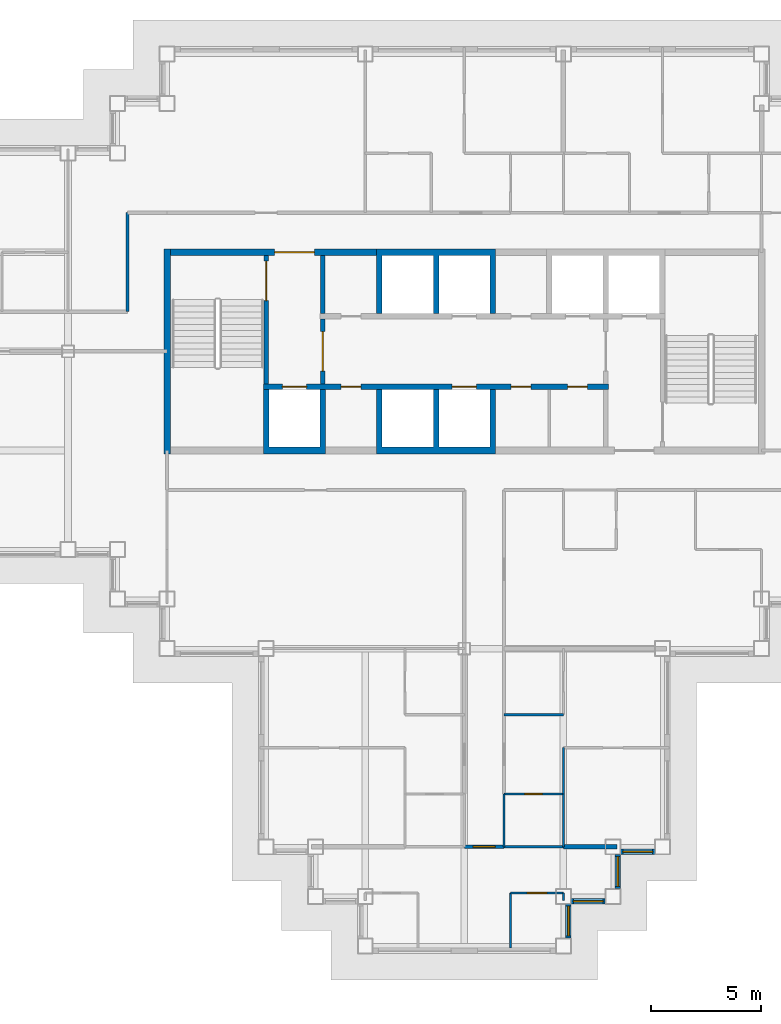
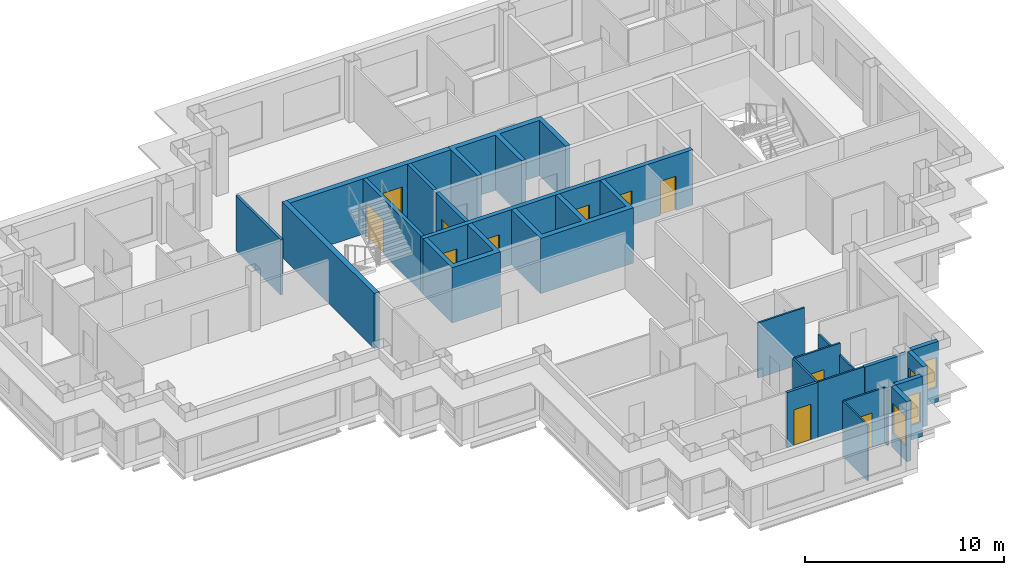
# One storey, part 4 of 12: 25 walls, 11 doors, 4 windows, 15 openings.
"""IFC4 building model written with IfcOpenShell, lengths in metres."""

from ifc_helpers import new_model, si_unit, direction, frame, frame_2d, origin, place, context, subcontext, project, spatial, polyline, rectangle, outline, extrude, material, layer, layer_set, type_object, element, fill, save


model = new_model("IFC4")

# Units and contexts
model_context = context("Model", 3, precision=1e-05, world=origin(), true_north=direction((0.0, 1.0)))
body_context = subcontext(model_context, "Body", "Model", "MODEL_VIEW")
ifc_project = project(units=[si_unit("LENGTHUNIT", "METRE"), si_unit("AREAUNIT", "SQUARE_METRE"), si_unit("VOLUMEUNIT", "CUBIC_METRE"), si_unit("PLANEANGLEUNIT", "RADIAN"), si_unit("MASSUNIT", "GRAM", prefix="KILO")], contexts=[model_context])

# Site, building, storey
site_placement = place(None, origin())
site = spatial("IfcSite", under=ifc_project, at=site_placement, CompositionType="ELEMENT")
building_placement = place(site_placement, origin())
building = spatial("IfcBuilding", under=site, at=building_placement, Name="Caravel Reach Hotel and Residences", CompositionType="ELEMENT")
storey_placement = place(building_placement, frame((0.0, 0.0, 199.800048828125)))
storey = spatial("IfcBuildingStorey", under=building, at=storey_placement, Name="L50", CompositionType="ELEMENT", Elevation=199.800048828125)

# Wall
ifc_material_1 = material(Name="Gypsum board on steel stud", Category="steel")
ifc_layer_1 = layer(ifc_material_1, 0.10009765625)
ifc_layer_set_1 = layer_set([ifc_layer_1], Name="Bathroom pod wall 100 mm")
wall_type_1 = type_object("IfcWallType", Name="Bathroom pod wall 100 mm", PredefinedType="PARTITIONING", material=ifc_layer_set_1)
wall_1_placement = place(storey_placement, frame((33.300048828125, 4.5, 0.0), z_axis=(0.0, 0.0, 1.0), x_axis=(1.0, 0.0, 0.0)))
element("IfcWall", 1, at=wall_1_placement, inside=storey, type_object=wall_type_1, Name="L50 wall w088", PredefinedType="PARTITIONING", context=body_context, shape_type="SweptSolid", body=[
    extrude(rectangle(XDim=2.699951171875, YDim=0.10009765625, at=frame_2d((1.35009765625, 0.0))), origin(), (0.0, 0.0, 1.0), 3.39990234375),
])

# Wall, opening, door
wall_2_placement = place(storey_placement, frame((33.300048828125, 6.89990234375, 0.0), z_axis=(0.0, 0.0, 1.0), x_axis=(1.0, 0.0, 0.0)))
wall_2 = element("IfcWall", 2, at=wall_2_placement, inside=storey, type_object=wall_type_1, Name="L50 wall w090", PredefinedType="PARTITIONING", context=body_context, shape_type="SweptSolid", body=[
    extrude(rectangle(XDim=2.699951171875, YDim=0.10009765625, at=frame_2d((1.35009765625, 0.0))), origin(), (0.0, 0.0, 1.0), 3.39990234375),
])
opening_1_placement = place(wall_2_placement, frame((0.949951171875, 0.0, 0.0)))
opening_1 = element("IfcOpeningElement", 3, at=opening_1_placement, cuts=wall_2, Name="Opening D50-040", PredefinedType="OPENING", context=body_context, shape_type="SweptSolid", body=[
    extrude(rectangle(XDim=0.800048828125, YDim=2.10009765625, at=frame_2d((0.39990234375, 1.050048828125))), frame((0.0, 0.06005859375, 0.0), z_axis=(0.0, -1.0, 0.0), x_axis=(1.0, 0.0, 0.0)), (0.0, 0.0, 1.0), 0.1201171875),
])
ifc_material_2 = material(Name="Timber and steel door leaf", Category="steel")
door_type_1 = type_object("IfcDoorType", Name="Bathroom door 800 x 2100", OperationType="SINGLE_SWING_LEFT", PredefinedType="DOOR", material=ifc_material_2)
door_1_placement = place(opening_1_placement, origin())
door_1 = element("IfcDoor", 4, at=door_1_placement, inside=storey, type_object=door_type_1, Name="door D50-040", OperationType="SINGLE_SWING_RIGHT", OverallHeight=2.10009765625, OverallWidth=0.800048828125, PredefinedType="DOOR", context=body_context, shape_type="SweptSolid", body=[
    extrude(rectangle(XDim=0.800048828125, YDim=2.10009765625, at=frame_2d((0.39990234375, 1.050048828125))), frame((0.0, 0.02490234375, 0.0), z_axis=(0.0, -1.0, 0.0), x_axis=(1.0, 0.0, 0.0)), (0.0, 0.0, 1.0), 0.050048828125),
])
fill(opening_1, door_1)

# Walls
wall_3_placement = place(storey_placement, frame((33.300048828125, 4.5, 0.0), z_axis=(0.0, 0.0, 1.0), x_axis=(0.0, 1.0, 0.0)))
element("IfcWall", 5, at=wall_3_placement, inside=storey, type_object=wall_type_1, Name="L50 wall w097", PredefinedType="PARTITIONING", context=body_context, shape_type="SweptSolid", body=[
    extrude(rectangle(XDim=2.39990234375, YDim=0.10009765625, at=frame_2d((1.199951171875, 0.0))), origin(), (0.0, 0.0, 1.0), 3.39990234375),
])
wall_4_placement = place(storey_placement, frame((36.0, 4.5, 0.0), z_axis=(0.0, 0.0, 1.0), x_axis=(0.0, 1.0, 0.0)))
element("IfcWall", 6, at=wall_4_placement, inside=storey, type_object=wall_type_1, Name="L50 wall w100", PredefinedType="PARTITIONING", context=body_context, shape_type="SweptSolid", body=[
    extrude(rectangle(XDim=2.39990234375, YDim=0.10009765625, at=frame_2d((1.199951171875, 0.0))), origin(), (0.0, 0.0, 1.0), 2.679931640625),
])
ifc_material_3 = material(Name="Autoclaved aerated block wall")
ifc_layer_2 = layer(ifc_material_3, 0.199951171875)
ifc_layer_set_2 = layer_set([ifc_layer_2], Name="Compartment wall 200 mm EI 120")
wall_type_2 = type_object("IfcWallType", Name="Compartment wall 200 mm EI 120", PredefinedType="PARTITIONING", material=ifc_layer_set_2)
wall_5_placement = place(storey_placement, frame((25.071533203125, 28.72509765625, 0.0), z_axis=(0.0, 0.0, 1.0), x_axis=(0.0, 1.0, 0.0)))
element("IfcWall", 7, at=wall_5_placement, inside=storey, type_object=wall_type_2, Name="L50 store partition", PredefinedType="PARTITIONING", context=body_context, shape_type="SweptSolid", body=[
    extrude(rectangle(XDim=2.625, YDim=0.199951171875, at=frame_2d((1.3125, 0.0))), origin(), (0.0, 0.0, 1.0), 3.39990234375),
])

# Wall, opening, door
ifc_material_4 = material(Name="Concrete C60", Category="concrete")
ifc_layer_3 = layer(ifc_material_4, 0.300048828125)
ifc_layer_set_3 = layer_set([ifc_layer_3], Name="Core wall 300 mm EI 120")
wall_type_3 = type_object("IfcWallType", Name="Core wall 300 mm EI 120", PredefinedType="SHEAR", material=ifc_layer_set_3)
wall_6_placement = place(storey_placement, frame((18.14990234375, 31.5, 0.0), z_axis=(0.0, 0.0, 1.0), x_axis=(1.0, 0.0, 0.0)))
wall_6 = element("IfcWall", 8, at=wall_6_placement, inside=storey, type_object=wall_type_3, Name="L50 core wall N1", PredefinedType="SHEAR", context=body_context, shape_type="SweptSolid", body=[
    extrude(rectangle(XDim=9.367919921875, YDim=0.300048828125, at=frame_2d((4.68408203125, 0.0))), origin(), (0.0, 0.0, 1.0), 3.39990234375),
])
opening_2_placement = place(wall_6_placement, frame((4.735595703125, 0.0, 0.0)))
opening_2 = element("IfcOpeningElement", 9, at=opening_2_placement, cuts=wall_6, Name="Opening D50-015", PredefinedType="OPENING", context=body_context, shape_type="SweptSolid", body=[
    extrude(rectangle(XDim=1.800048828125, YDim=2.10009765625, at=frame_2d((0.89990234375, 1.050048828125))), frame((0.0, 0.159912109375, 0.0), z_axis=(0.0, -1.0, 0.0), x_axis=(1.0, 0.0, 0.0)), (0.0, 0.0, 1.0), 0.320068359375),
])
ifc_material_5 = material(Name="Steel fire door leaf", Category="steel")
door_type_2 = type_object("IfcDoorType", Name="Fire lobby door pair 1800 x 2100 EI 90", OperationType="DOUBLE_DOOR_SINGLE_SWING", PredefinedType="DOOR", material=ifc_material_5)
door_2_placement = place(opening_2_placement, origin())
door_2 = element("IfcDoor", 10, at=door_2_placement, inside=storey, type_object=door_type_2, Name="lobby N door pair to corridor", OperationType="DOUBLE_DOOR_SINGLE_SWING", OverallHeight=2.10009765625, OverallWidth=1.800048828125, PredefinedType="DOOR", context=body_context, shape_type="SweptSolid", body=[
    extrude(rectangle(XDim=1.800048828125, YDim=2.10009765625, at=frame_2d((0.89990234375, 1.050048828125))), frame((0.0, 0.02490234375, 0.0), z_axis=(0.0, -1.0, 0.0), x_axis=(1.0, 0.0, 0.0)), (0.0, 0.0, 1.0), 0.050048828125),
])
fill(opening_2, door_2)

# Wall
wall_7_placement = place(storey_placement, frame((18.0, 22.35009765625, 0.0), z_axis=(0.0, 0.0, 1.0), x_axis=(0.0, 1.0, 0.0)))
element("IfcWall", 11, at=wall_7_placement, inside=storey, type_object=wall_type_3, Name="L50 core wall W", PredefinedType="SHEAR", context=body_context, shape_type="SweptSolid", body=[
    extrude(rectangle(XDim=9.2998046875, YDim=0.300048828125, at=frame_2d((4.64990234375, 0.0))), origin(), (0.0, 0.0, 1.0), 3.39990234375),
])

# Wall, opening, door
ifc_material_6 = material(Name="Gypsum board on steel stud, fire-rated", Category="steel")
ifc_layer_4 = layer(ifc_material_6, 0.14990234375)
ifc_layer_set_4 = layer_set([ifc_layer_4], Name="Corridor wall 150 mm EI 60")
wall_type_4 = type_object("IfcWallType", Name="Corridor wall 150 mm EI 60", PredefinedType="PARTITIONING", material=ifc_layer_set_4)
wall_8_placement = place(storey_placement, frame((31.5, 4.5, 0.0), z_axis=(0.0, 0.0, 1.0), x_axis=(1.0, 0.0, 0.0)))
wall_8 = element("IfcWall", 12, at=wall_8_placement, inside=storey, type_object=wall_type_4, Name="L50 wall w017", PredefinedType="PARTITIONING", context=body_context, shape_type="SweptSolid", body=[
    extrude(rectangle(XDim=1.800048828125, YDim=0.14990234375, at=frame_2d((0.89990234375, 0.0))), origin(), (0.0, 0.0, 1.0), 3.39990234375),
])
opening_3_placement = place(wall_8_placement, frame((0.39990234375, 0.0, 0.0)))
opening_3 = element("IfcOpeningElement", 13, at=opening_3_placement, cuts=wall_8, Name="Opening D50-049", PredefinedType="OPENING", context=body_context, shape_type="SweptSolid", body=[
    extrude(rectangle(XDim=1.0, YDim=2.199951171875, at=frame_2d((0.5, 1.10009765625))), frame((0.0, 0.0849609375, 0.0), z_axis=(0.0, -1.0, 0.0), x_axis=(1.0, 0.0, 0.0)), (0.0, 0.0, 1.0), 0.169921875),
])
ifc_material_7 = material(Name="Steel fire door leaf", Category="steel")
door_type_3 = type_object("IfcDoorType", Name="Flat entrance door 1000 x 2200 EI 60", OperationType="SINGLE_SWING_LEFT", PredefinedType="DOOR", material=ifc_material_7)
door_3_placement = place(opening_3_placement, origin())
door_3 = element("IfcDoor", 14, at=door_3_placement, inside=storey, type_object=door_type_3, Name="door D50-049", OperationType="SINGLE_SWING_RIGHT", OverallHeight=2.199951171875, OverallWidth=1.0, PredefinedType="DOOR", context=body_context, shape_type="SweptSolid", body=[
    extrude(rectangle(XDim=1.0, YDim=2.199951171875, at=frame_2d((0.5, 1.10009765625))), frame((0.0, 0.02490234375, 0.0), z_axis=(0.0, -1.0, 0.0), x_axis=(1.0, 0.0, 0.0)), (0.0, 0.0, 1.0), 0.050048828125),
])
fill(opening_3, door_3)

# Wall
wall_9_placement = place(storey_placement, frame((16.199951171875, 28.801025390625, 0.0), z_axis=(0.0, 0.0, 1.0), x_axis=(0.0, 1.0, 0.0)))
element("IfcWall", 15, at=wall_9_placement, inside=storey, type_object=wall_type_4, Name="L50 wall w018", PredefinedType="PARTITIONING", context=body_context, shape_type="SweptSolid", body=[
    extrude(rectangle(XDim=4.4990234375, YDim=0.14990234375, at=frame_2d((2.24951171875, 0.0))), origin(), (0.0, 0.0, 1.0), 3.39990234375),
])

# Wall, opening, window
ifc_material_8 = material(Name="Insulated rainscreen wall, aluminium cladding", Category="aluminium")
ifc_layer_5 = layer(ifc_material_8, 0.25)
ifc_layer_set_5 = layer_set([ifc_layer_5], Name="EW1 Tower rainscreen wall")
wall_type_5 = type_object("IfcWallType", Name="EW1 Tower rainscreen wall", PredefinedType="SOLIDWALL", material=ifc_layer_set_5)
wall_10_placement = place(storey_placement, frame((36.22509765625, 0.35009765625, 0.0), z_axis=(0.0, 0.0, 1.0), x_axis=(0.0, 1.0, 0.0)))
wall_10 = element("IfcWall", 16, at=wall_10_placement, inside=storey, type_object=wall_type_5, Name="External wall L50 E36.1", PredefinedType="SOLIDWALL", context=body_context, shape_type="SweptSolid", body=[
    extrude(rectangle(XDim=1.5498046875, YDim=0.25, at=frame_2d((0.77490234375, 0.0))), origin(), (0.0, 0.0, 1.0), 3.699951171875),
])
opening_4_placement = place(wall_10_placement, frame((0.10009765625, 0.0, 0.89990234375)))
opening_4 = element("IfcOpeningElement", 17, at=opening_4_placement, cuts=wall_10, Name="Opening WN21", PredefinedType="OPENING", context=body_context, shape_type="SweptSolid", body=[
    extrude(rectangle(XDim=1.35009765625, YDim=1.85009765625, at=frame_2d((0.675048828125, 0.925048828125))), frame((0.0, 0.135009765625, 0.0), z_axis=(0.0, -1.0, 0.0), x_axis=(1.0, 0.0, 0.0)), (0.0, 0.0, 1.0), 0.27001953125),
])
ifc_material_9 = material(Name="Dark low-e glazing in black aluminium frame", Category="aluminium")
window_type = type_object("IfcWindowType", Name="Residence bedroom window 1350 x 1850", PartitioningType="SINGLE_PANEL", PredefinedType="WINDOW", material=ifc_material_9)
window_1_placement = place(opening_4_placement, origin())
window_1 = element("IfcWindow", 18, at=window_1_placement, inside=storey, type_object=window_type, Name="Window L50 E36.1.1", OverallHeight=1.85009765625, OverallWidth=1.35009765625, PartitioningType="SINGLE_PANEL", PredefinedType="WINDOW", context=body_context, shape_type="SweptSolid", body=[
    extrude(rectangle(XDim=1.35009765625, YDim=1.85009765625, at=frame_2d((0.675048828125, 0.925048828125))), frame((0.0, 0.030029296875, 0.0), z_axis=(0.0, -1.0, 0.0), x_axis=(1.0, 0.0, 0.0)), (0.0, 0.0, 1.0), 0.06005859375),
])
fill(opening_4, window_1)

wall_11_placement = place(storey_placement, frame((36.35009765625, 2.02490234375, 0.0), z_axis=(0.0, 0.0, 1.0), x_axis=(1.0, 0.0, 0.0)))
wall_11 = element("IfcWall", 19, at=wall_11_placement, inside=storey, type_object=wall_type_5, Name="External wall L50 S37.1", PredefinedType="SOLIDWALL", context=body_context, shape_type="SweptSolid", body=[
    extrude(rectangle(XDim=1.5498046875, YDim=0.25, at=frame_2d((0.77490234375, 0.0))), origin(), (0.0, 0.0, 1.0), 3.699951171875),
])
opening_5_placement = place(wall_11_placement, frame((0.10009765625, 0.0, 0.89990234375)))
opening_5 = element("IfcOpeningElement", 20, at=opening_5_placement, cuts=wall_11, Name="Opening WN21", PredefinedType="OPENING", context=body_context, shape_type="SweptSolid", body=[
    extrude(rectangle(XDim=1.35009765625, YDim=1.85009765625, at=frame_2d((0.675048828125, 0.925048828125))), frame((0.0, 0.135009765625, 0.0), z_axis=(0.0, -1.0, 0.0), x_axis=(1.0, 0.0, 0.0)), (0.0, 0.0, 1.0), 0.27001953125),
])
window_2_placement = place(opening_5_placement, origin())
window_2 = element("IfcWindow", 21, at=window_2_placement, inside=storey, type_object=window_type, Name="Window L50 S37.1.1", OverallHeight=1.85009765625, OverallWidth=1.35009765625, PartitioningType="SINGLE_PANEL", PredefinedType="WINDOW", context=body_context, shape_type="SweptSolid", body=[
    extrude(rectangle(XDim=1.35009765625, YDim=1.85009765625, at=frame_2d((0.675048828125, 0.925048828125))), frame((0.0, 0.030029296875, 0.0), z_axis=(0.0, -1.0, 0.0), x_axis=(1.0, 0.0, 0.0)), (0.0, 0.0, 1.0), 0.06005859375),
])
fill(opening_5, window_2)

wall_12_placement = place(storey_placement, frame((38.47509765625, 2.60009765625, 0.0), z_axis=(0.0, 0.0, 1.0), x_axis=(0.0, 1.0, 0.0)))
wall_12 = element("IfcWall", 22, at=wall_12_placement, inside=storey, type_object=wall_type_5, Name="External wall L50 E38.1", PredefinedType="SOLIDWALL", context=body_context, shape_type="SweptSolid", body=[
    extrude(rectangle(XDim=1.5498046875, YDim=0.25, at=frame_2d((0.77490234375, 0.0))), origin(), (0.0, 0.0, 1.0), 3.699951171875),
])
opening_6_placement = place(wall_12_placement, frame((0.10009765625, 0.0, 0.89990234375)))
opening_6 = element("IfcOpeningElement", 23, at=opening_6_placement, cuts=wall_12, Name="Opening WN21", PredefinedType="OPENING", context=body_context, shape_type="SweptSolid", body=[
    extrude(rectangle(XDim=1.35009765625, YDim=1.85009765625, at=frame_2d((0.675048828125, 0.925048828125))), frame((0.0, 0.135009765625, 0.0), z_axis=(0.0, -1.0, 0.0), x_axis=(1.0, 0.0, 0.0)), (0.0, 0.0, 1.0), 0.27001953125),
])
window_3_placement = place(opening_6_placement, origin())
window_3 = element("IfcWindow", 24, at=window_3_placement, inside=storey, type_object=window_type, Name="Window L50 E38.1.1", OverallHeight=1.85009765625, OverallWidth=1.35009765625, PartitioningType="SINGLE_PANEL", PredefinedType="WINDOW", context=body_context, shape_type="SweptSolid", body=[
    extrude(rectangle(XDim=1.35009765625, YDim=1.85009765625, at=frame_2d((0.675048828125, 0.925048828125))), frame((0.0, 0.030029296875, 0.0), z_axis=(0.0, -1.0, 0.0), x_axis=(1.0, 0.0, 0.0)), (0.0, 0.0, 1.0), 0.06005859375),
])
fill(opening_6, window_3)

wall_13_placement = place(storey_placement, frame((38.60009765625, 4.27490234375, 0.0), z_axis=(0.0, 0.0, 1.0), x_axis=(1.0, 0.0, 0.0)))
wall_13 = element("IfcWall", 25, at=wall_13_placement, inside=storey, type_object=wall_type_5, Name="External wall L50 S39.1", PredefinedType="SOLIDWALL", context=body_context, shape_type="SweptSolid", body=[
    extrude(rectangle(XDim=1.5498046875, YDim=0.25, at=frame_2d((0.77490234375, 0.0))), origin(), (0.0, 0.0, 1.0), 3.699951171875),
])
opening_7_placement = place(wall_13_placement, frame((0.10009765625, 0.0, 0.89990234375)))
opening_7 = element("IfcOpeningElement", 26, at=opening_7_placement, cuts=wall_13, Name="Opening WN21", PredefinedType="OPENING", context=body_context, shape_type="SweptSolid", body=[
    extrude(rectangle(XDim=1.35009765625, YDim=1.85009765625, at=frame_2d((0.675048828125, 0.925048828125))), frame((0.0, 0.135009765625, 0.0), z_axis=(0.0, -1.0, 0.0), x_axis=(1.0, 0.0, 0.0)), (0.0, 0.0, 1.0), 0.27001953125),
])
window_4_placement = place(opening_7_placement, origin())
window_4 = element("IfcWindow", 27, at=window_4_placement, inside=storey, type_object=window_type, Name="Window L50 S39.1.1", OverallHeight=1.85009765625, OverallWidth=1.35009765625, PartitioningType="SINGLE_PANEL", PredefinedType="WINDOW", context=body_context, shape_type="SweptSolid", body=[
    extrude(rectangle(XDim=1.35009765625, YDim=1.85009765625, at=frame_2d((0.675048828125, 0.925048828125))), frame((0.0, 0.030029296875, 0.0), z_axis=(0.0, -1.0, 0.0), x_axis=(1.0, 0.0, 0.0)), (0.0, 0.0, 1.0), 0.06005859375),
])
fill(opening_7, window_4)

# Wall, opening, door
ifc_material_10 = material(Name="Autoclaved aerated block wall")
ifc_layer_6 = layer(ifc_material_10, 0.199951171875)
ifc_layer_set_6 = layer_set([ifc_layer_6], Name="Fire lobby wall 200 mm EI 120")
wall_type_6 = type_object("IfcWallType", Name="Fire lobby wall 200 mm EI 120", PredefinedType="PARTITIONING", material=ifc_layer_set_6)
wall_14_placement = place(storey_placement, frame((25.071533203125, 25.52490234375, 0.0), z_axis=(0.0, 0.0, 1.0), x_axis=(0.0, 1.0, 0.0)))
wall_14 = element("IfcWall", 28, at=wall_14_placement, inside=storey, type_object=wall_type_6, Name="L50 lobby W wall", PredefinedType="PARTITIONING", context=body_context, shape_type="SweptSolid", body=[
    extrude(rectangle(XDim=2.9501953125, YDim=0.199951171875, at=frame_2d((1.47509765625, 0.0))), origin(), (0.0, 0.0, 1.0), 3.39990234375),
])
opening_8_placement = place(wall_14_placement, frame((0.574951171875, 0.0, 0.0)))
opening_8 = element("IfcOpeningElement", 29, at=opening_8_placement, cuts=wall_14, Name="Opening D50-013", PredefinedType="OPENING", context=body_context, shape_type="SweptSolid", body=[
    extrude(rectangle(XDim=1.800048828125, YDim=2.10009765625, at=frame_2d((0.89990234375, 1.050048828125))), frame((0.0, 0.10986328125, 0.0), z_axis=(0.0, -1.0, 0.0), x_axis=(1.0, 0.0, 0.0)), (0.0, 0.0, 1.0), 0.219970703125),
])
door_4_placement = place(opening_8_placement, origin())
door_4 = element("IfcDoor", 30, at=door_4_placement, inside=storey, type_object=door_type_2, Name="lobby W door pair", OperationType="DOUBLE_DOOR_SINGLE_SWING", OverallHeight=2.10009765625, OverallWidth=1.800048828125, PredefinedType="DOOR", context=body_context, shape_type="SweptSolid", body=[
    extrude(rectangle(XDim=1.800048828125, YDim=2.10009765625, at=frame_2d((0.89990234375, 1.050048828125))), frame((0.0, 0.02490234375, 0.0), z_axis=(0.0, -1.0, 0.0), x_axis=(1.0, 0.0, 0.0)), (0.0, 0.0, 1.0), 0.050048828125),
])
fill(opening_8, door_4)

# Wall
ifc_material_11 = material(Name="Gypsum board on steel stud", Category="steel")
ifc_layer_7 = layer(ifc_material_11, 0.10009765625)
ifc_layer_set_7 = layer_set([ifc_layer_7], Name="Partition 100 mm")
wall_type_7 = type_object("IfcWallType", Name="Partition 100 mm", PredefinedType="PARTITIONING", material=ifc_layer_set_7)
wall_15_placement = place(storey_placement, frame((33.300048828125, 10.5, 0.0), z_axis=(0.0, 0.0, 1.0), x_axis=(1.0, 0.0, 0.0)))
element("IfcWall", 31, at=wall_15_placement, inside=storey, type_object=wall_type_7, Name="L50 wall w028", PredefinedType="PARTITIONING", context=body_context, shape_type="SweptSolid", body=[
    extrude(rectangle(XDim=2.699951171875, YDim=0.10009765625, at=frame_2d((1.35009765625, 0.0))), origin(), (0.0, 0.0, 1.0), 3.39990234375),
])

# Wall, opening, door
wall_16_placement = place(storey_placement, frame((33.60009765625, 2.39990234375, 0.0), z_axis=(0.0, 0.0, 1.0), x_axis=(1.0, 0.0, 0.0)))
wall_16 = element("IfcWall", 32, at=wall_16_placement, inside=storey, type_object=wall_type_7, Name="L50 wall w033", PredefinedType="PARTITIONING", context=body_context, shape_type="SweptSolid", body=[
    extrude(rectangle(XDim=2.39990234375, YDim=0.10009765625, at=frame_2d((1.199951171875, 0.0))), origin(), (0.0, 0.0, 1.0), 3.39990234375),
])
opening_9_placement = place(wall_16_placement, frame((0.75, 0.0, 0.0)))
opening_9 = element("IfcOpeningElement", 33, at=opening_9_placement, cuts=wall_16, Name="Opening D50-051", PredefinedType="OPENING", context=body_context, shape_type="SweptSolid", body=[
    extrude(rectangle(XDim=0.89990234375, YDim=2.10009765625, at=frame_2d((0.449951171875, 1.050048828125))), frame((0.0, 0.06005859375, 0.0), z_axis=(0.0, -1.0, 0.0), x_axis=(1.0, 0.0, 0.0)), (0.0, 0.0, 1.0), 0.1201171875),
])
ifc_material_12 = material(Name="Timber and steel door leaf", Category="steel")
door_type_4 = type_object("IfcDoorType", Name="Door 900 x 2100 timber", OperationType="SINGLE_SWING_LEFT", PredefinedType="DOOR", material=ifc_material_12)
door_5_placement = place(opening_9_placement, origin())
door_5 = element("IfcDoor", 34, at=door_5_placement, inside=storey, type_object=door_type_4, Name="door D50-051", OperationType="SINGLE_SWING_RIGHT", OverallHeight=2.10009765625, OverallWidth=0.89990234375, PredefinedType="DOOR", context=body_context, shape_type="SweptSolid", body=[
    extrude(rectangle(XDim=0.89990234375, YDim=2.10009765625, at=frame_2d((0.449951171875, 1.050048828125))), frame((0.0, 0.02490234375, 0.0), z_axis=(0.0, -1.0, 0.0), x_axis=(1.0, 0.0, 0.0)), (0.0, 0.0, 1.0), 0.050048828125),
])
fill(opening_9, door_5)

# Walls
wall_17_placement = place(storey_placement, frame((33.60009765625, -0.10009765625, 0.0), z_axis=(0.0, 0.0, 1.0), x_axis=(0.0, 1.0, 0.0)))
element("IfcWall", 35, at=wall_17_placement, inside=storey, type_object=wall_type_7, Name="L50 wall w059", PredefinedType="PARTITIONING", context=body_context, shape_type="SweptSolid", body=[
    extrude(rectangle(XDim=2.5, YDim=0.10009765625, at=frame_2d((1.25, 0.0))), origin(), (0.0, 0.0, 1.0), 3.39990234375),
])
wall_18_placement = place(storey_placement, frame((36.0, 6.89990234375, 0.0), z_axis=(0.0, 0.0, 1.0), x_axis=(0.0, 1.0, 0.0)))
element("IfcWall", 36, at=wall_18_placement, inside=storey, type_object=wall_type_7, Name="L50 wall w060", PredefinedType="PARTITIONING", context=body_context, shape_type="SweptSolid", body=[
    extrude(rectangle(XDim=2.10009765625, YDim=0.10009765625, at=frame_2d((1.050048828125, 0.0))), origin(), (0.0, 0.0, 1.0), 2.679931640625),
])
wall_19_placement = place(storey_placement, frame((36.0, 2.06005859375, 0.0), z_axis=(0.0, 0.0, 1.0), x_axis=(0.0, 1.0, 0.0)))
element("IfcWall", 37, at=wall_19_placement, inside=storey, type_object=wall_type_7, Name="L50 wall w062", PredefinedType="PARTITIONING", context=body_context, shape_type="SweptSolid", body=[
    extrude(rectangle(XDim=0.33984375, YDim=0.10009765625, at=frame_2d((0.169921875, 0.0))), origin(), (0.0, 0.0, 1.0), 3.39990234375),
])
ifc_material_13 = material(Name="Autoclaved aerated block wall")
ifc_layer_8 = layer(ifc_material_13, 0.199951171875)
ifc_layer_set_8 = layer_set([ifc_layer_8], Name="Party wall 200 mm EI 60")
wall_type_8 = type_object("IfcWallType", Name="Party wall 200 mm EI 60", PredefinedType="PARTITIONING", material=ifc_layer_set_8)
wall_20_placement = place(storey_placement, frame((36.0, 4.5, 0.0), z_axis=(0.0, 0.0, 1.0), x_axis=(1.0, 0.0, 0.0)))
element("IfcWall", 38, at=wall_20_placement, inside=storey, type_object=wall_type_8, Name="L50 wall w072", PredefinedType="PARTITIONING", context=body_context, shape_type="SweptSolid", body=[
    extrude(rectangle(XDim=2.43994140625, YDim=0.199951171875, at=frame_2d((1.219970703125, 0.0))), origin(), (0.0, 0.0, 1.0), 3.39990234375),
])
ifc_material_14 = material(Name="Concrete C60", Category="concrete")
ifc_layer_9 = layer(ifc_material_14, 0.25)
ifc_layer_set_9 = layer_set([ifc_layer_9], Name="Shaft wall 250 mm EI 120")
wall_type_9 = type_object("IfcWallType", Name="Shaft wall 250 mm EI 120", PredefinedType="SHEAR", material=ifc_layer_set_9)
wall_21_placement = place(storey_placement, origin())
element("IfcWall", 39, at=wall_21_placement, inside=storey, type_object=wall_type_9, Name="L50 lift shaft wall S1", PredefinedType="SHEAR", context=body_context, shape_type="SweptSolid", body=[
    extrude(outline(polyline([(22.375, 22.35009765625), (25.196533203125, 22.35009765625), (25.196533203125, 25.27490234375), (24.946533203125, 25.27490234375), (24.946533203125, 22.64990234375), (22.625, 22.64990234375), (22.625, 25.27490234375), (22.375, 25.27490234375), (22.375, 22.35009765625)])), origin(), (0.0, 0.0, 1.0), 3.39990234375),
])
wall_22_placement = place(storey_placement, origin())
element("IfcWall", 40, at=wall_22_placement, inside=storey, type_object=wall_type_9, Name="L50 lift shaft wall S2", PredefinedType="SHEAR", context=body_context, shape_type="SweptSolid", body=[
    extrude(outline(polyline([(27.517822265625, 22.35009765625), (32.91064453125, 22.35009765625), (32.91064453125, 25.27490234375), (32.66064453125, 25.27490234375), (32.66064453125, 22.64990234375), (30.33935546875, 22.64990234375), (30.33935546875, 25.27490234375), (30.08935546875, 25.27490234375), (30.08935546875, 22.64990234375), (27.767822265625, 22.64990234375), (27.767822265625, 25.27490234375), (27.517822265625, 25.27490234375), (27.517822265625, 22.35009765625)])), origin(), (0.0, 0.0, 1.0), 3.39990234375),
])
wall_23_placement = place(storey_placement, origin())
element("IfcWall", 41, at=wall_23_placement, inside=storey, type_object=wall_type_9, Name="L50 lift shaft wall N1", PredefinedType="SHEAR", context=body_context, shape_type="SweptSolid", body=[
    extrude(outline(polyline([(27.517822265625, 28.72509765625), (27.767822265625, 28.72509765625), (27.767822265625, 31.35009765625), (30.08935546875, 31.35009765625), (30.08935546875, 28.72509765625), (30.33935546875, 28.72509765625), (30.33935546875, 31.35009765625), (32.66064453125, 31.35009765625), (32.66064453125, 28.72509765625), (32.91064453125, 28.72509765625), (32.91064453125, 31.64990234375), (27.517822265625, 31.64990234375), (27.517822265625, 28.72509765625)])), origin(), (0.0, 0.0, 1.0), 3.39990234375),
])

# Wall, openings, doors
wall_24_placement = place(storey_placement, frame((22.375, 25.39990234375, 0.0), z_axis=(0.0, 0.0, 1.0), x_axis=(1.0, 0.0, 0.0)))
wall_24 = element("IfcWall", 42, at=wall_24_placement, inside=storey, type_object=wall_type_9, Name="L50 lobby wall S1", PredefinedType="SHEAR", context=body_context, shape_type="SweptSolid", body=[
    extrude(rectangle(XDim=15.678466796875, YDim=0.25, at=frame_2d((7.83935546875, 0.0))), origin(), (0.0, 0.0, 1.0), 3.39990234375),
])
opening_10_placement = place(wall_24_placement, frame((8.574951171875, 0.0, 0.0)))
opening_10 = element("IfcOpeningElement", 43, at=opening_10_placement, cuts=wall_24, Name="Opening D50-001", PredefinedType="OPENING", context=body_context, shape_type="SweptSolid", body=[
    extrude(rectangle(XDim=1.10009765625, YDim=2.10009765625, at=frame_2d((0.550048828125, 1.050048828125))), frame((0.0, 0.135009765625, 0.0), z_axis=(0.0, -1.0, 0.0), x_axis=(1.0, 0.0, 0.0)), (0.0, 0.0, 1.0), 0.27001953125),
])
opening_11_placement = place(wall_24_placement, frame((0.860595703125, 0.0, 0.0)))
opening_11 = element("IfcOpeningElement", 44, at=opening_11_placement, cuts=wall_24, Name="Opening D50-004", PredefinedType="OPENING", context=body_context, shape_type="SweptSolid", body=[
    extrude(rectangle(XDim=1.10009765625, YDim=2.10009765625, at=frame_2d((0.550048828125, 1.050048828125))), frame((0.0, 0.135009765625, 0.0), z_axis=(0.0, -1.0, 0.0), x_axis=(1.0, 0.0, 0.0)), (0.0, 0.0, 1.0), 0.27001953125),
])
opening_12_placement = place(wall_24_placement, frame((3.531982421875, 0.0, 0.0)))
opening_12 = element("IfcOpeningElement", 45, at=opening_12_placement, cuts=wall_24, Name="Opening D50-006", PredefinedType="OPENING", context=body_context, shape_type="SweptSolid", body=[
    extrude(rectangle(XDim=0.89990234375, YDim=2.10009765625, at=frame_2d((0.449951171875, 1.050048828125))), frame((0.0, 0.135009765625, 0.0), z_axis=(0.0, -1.0, 0.0), x_axis=(1.0, 0.0, 0.0)), (0.0, 0.0, 1.0), 0.27001953125),
])
opening_13_placement = place(wall_24_placement, frame((11.246337890625, 0.0, 0.0)))
opening_13 = element("IfcOpeningElement", 46, at=opening_13_placement, cuts=wall_24, Name="Opening D50-007", PredefinedType="OPENING", context=body_context, shape_type="SweptSolid", body=[
    extrude(rectangle(XDim=0.89990234375, YDim=2.10009765625, at=frame_2d((0.449951171875, 1.050048828125))), frame((0.0, 0.135009765625, 0.0), z_axis=(0.0, -1.0, 0.0), x_axis=(1.0, 0.0, 0.0)), (0.0, 0.0, 1.0), 0.27001953125),
])
opening_14_placement = place(wall_24_placement, frame((13.81787109375, 0.0, 0.0)))
opening_14 = element("IfcOpeningElement", 47, at=opening_14_placement, cuts=wall_24, Name="Opening D50-008", PredefinedType="OPENING", context=body_context, shape_type="SweptSolid", body=[
    extrude(rectangle(XDim=0.89990234375, YDim=2.10009765625, at=frame_2d((0.449951171875, 1.050048828125))), frame((0.0, 0.135009765625, 0.0), z_axis=(0.0, -1.0, 0.0), x_axis=(1.0, 0.0, 0.0)), (0.0, 0.0, 1.0), 0.27001953125),
])
ifc_material_15 = material(Name="Stainless steel landing door", Category="steel")
door_type_5 = type_object("IfcDoorType", Name="Landing door LD 1100 x 2100 sliding", OperationType="DOUBLE_DOOR_SLIDING", PredefinedType="DOOR", material=ifc_material_15)
door_6_placement = place(opening_10_placement, origin())
door_6 = element("IfcDoor", 48, at=door_6_placement, inside=storey, type_object=door_type_5, Name="MP1 landing door", OperationType="DOUBLE_DOOR_SLIDING", OverallHeight=2.10009765625, OverallWidth=1.10009765625, PredefinedType="DOOR", context=body_context, shape_type="SweptSolid", body=[
    extrude(rectangle(XDim=1.10009765625, YDim=2.10009765625, at=frame_2d((0.550048828125, 1.050048828125))), frame((0.0, 0.02490234375, 0.0), z_axis=(0.0, -1.0, 0.0), x_axis=(1.0, 0.0, 0.0)), (0.0, 0.0, 1.0), 0.050048828125),
])
fill(opening_10, door_6)
door_7_placement = place(opening_11_placement, origin())
door_7 = element("IfcDoor", 49, at=door_7_placement, inside=storey, type_object=door_type_5, Name="FL1 landing door", OperationType="DOUBLE_DOOR_SLIDING", OverallHeight=2.10009765625, OverallWidth=1.10009765625, PredefinedType="DOOR", context=body_context, shape_type="SweptSolid", body=[
    extrude(rectangle(XDim=1.10009765625, YDim=2.10009765625, at=frame_2d((0.550048828125, 1.050048828125))), frame((0.0, 0.02490234375, 0.0), z_axis=(0.0, -1.0, 0.0), x_axis=(1.0, 0.0, 0.0)), (0.0, 0.0, 1.0), 0.050048828125),
])
fill(opening_11, door_7)
ifc_material_16 = material(Name="Steel fire door leaf", Category="steel")
door_type_6 = type_object("IfcDoorType", Name="Riser door 900 x 2100 EI 60", OperationType="SINGLE_SWING_LEFT", PredefinedType="DOOR", material=ifc_material_16)
door_8_placement = place(opening_12_placement, origin())
door_8 = element("IfcDoor", 50, at=door_8_placement, inside=storey, type_object=door_type_6, Name="Water tank room door", OperationType="SINGLE_SWING_LEFT", OverallHeight=2.10009765625, OverallWidth=0.89990234375, PredefinedType="DOOR", context=body_context, shape_type="SweptSolid", body=[
    extrude(rectangle(XDim=0.89990234375, YDim=2.10009765625, at=frame_2d((0.449951171875, 1.050048828125))), frame((0.0, 0.02490234375, 0.0), z_axis=(0.0, -1.0, 0.0), x_axis=(1.0, 0.0, 0.0)), (0.0, 0.0, 1.0), 0.050048828125),
])
fill(opening_12, door_8)
door_9_placement = place(opening_13_placement, origin())
door_9 = element("IfcDoor", 51, at=door_9_placement, inside=storey, type_object=door_type_6, Name="Telecom room door", OperationType="SINGLE_SWING_LEFT", OverallHeight=2.10009765625, OverallWidth=0.89990234375, PredefinedType="DOOR", context=body_context, shape_type="SweptSolid", body=[
    extrude(rectangle(XDim=0.89990234375, YDim=2.10009765625, at=frame_2d((0.449951171875, 1.050048828125))), frame((0.0, 0.02490234375, 0.0), z_axis=(0.0, -1.0, 0.0), x_axis=(1.0, 0.0, 0.0)), (0.0, 0.0, 1.0), 0.050048828125),
])
fill(opening_13, door_9)
door_10_placement = place(opening_14_placement, origin())
door_10 = element("IfcDoor", 52, at=door_10_placement, inside=storey, type_object=door_type_6, Name="Recycling store door", OperationType="SINGLE_SWING_LEFT", OverallHeight=2.10009765625, OverallWidth=0.89990234375, PredefinedType="DOOR", context=body_context, shape_type="SweptSolid", body=[
    extrude(rectangle(XDim=0.89990234375, YDim=2.10009765625, at=frame_2d((0.449951171875, 1.050048828125))), frame((0.0, 0.02490234375, 0.0), z_axis=(0.0, -1.0, 0.0), x_axis=(1.0, 0.0, 0.0)), (0.0, 0.0, 1.0), 0.050048828125),
])
fill(opening_14, door_10)

# Wall, opening, door
ifc_material_17 = material(Name="Concrete C60", Category="concrete")
ifc_layer_10 = layer(ifc_material_17, 0.199951171875)
ifc_layer_set_10 = layer_set([ifc_layer_10], Name="Stair enclosure wall 200 mm EI 120")
wall_type_10 = type_object("IfcWallType", Name="Stair enclosure wall 200 mm EI 120", PredefinedType="SHEAR", material=ifc_layer_set_10)
wall_25_placement = place(storey_placement, frame((22.5, 31.35009765625, 0.0), z_axis=(0.0, 0.0, 1.0), x_axis=(0.0, -1.0, 0.0)))
wall_25 = element("IfcWall", 53, at=wall_25_placement, inside=storey, type_object=wall_type_10, Name="L50 stair A wall", PredefinedType="SHEAR", context=body_context, shape_type="SweptSolid", body=[
    extrude(rectangle(XDim=5.8251953125, YDim=0.199951171875, at=frame_2d((2.91259765625, 0.0))), origin(), (0.0, 0.0, 1.0), 3.39990234375),
])
opening_15_placement = place(wall_25_placement, frame((0.25, 0.0, 0.0)))
opening_15 = element("IfcOpeningElement", 54, at=opening_15_placement, cuts=wall_25, Name="Opening D50-011", PredefinedType="OPENING", context=body_context, shape_type="SweptSolid", body=[
    extrude(rectangle(XDim=1.800048828125, YDim=2.10009765625, at=frame_2d((0.89990234375, 1.050048828125))), frame((0.0, 0.10986328125, 0.0), z_axis=(0.0, -1.0, 0.0), x_axis=(1.0, 0.0, 0.0)), (0.0, 0.0, 1.0), 0.219970703125),
])
ifc_material_18 = material(Name="Steel fire door leaf", Category="steel")
door_type_7 = type_object("IfcDoorType", Name="Stair door pair 1800 x 2100 EI 90", OperationType="DOUBLE_DOOR_SINGLE_SWING", PredefinedType="DOOR", material=ifc_material_18)
door_11_placement = place(opening_15_placement, origin())
door_11 = element("IfcDoor", 55, at=door_11_placement, inside=storey, type_object=door_type_7, Name="stair A door pair", OperationType="DOUBLE_DOOR_SINGLE_SWING", OverallHeight=2.10009765625, OverallWidth=1.800048828125, PredefinedType="DOOR", context=body_context, shape_type="SweptSolid", body=[
    extrude(rectangle(XDim=1.800048828125, YDim=2.10009765625, at=frame_2d((0.89990234375, 1.050048828125))), frame((0.0, 0.02490234375, 0.0), z_axis=(0.0, -1.0, 0.0), x_axis=(1.0, 0.0, 0.0)), (0.0, 0.0, 1.0), 0.050048828125),
])
fill(opening_15, door_11)

save(model, "model.ifc")
